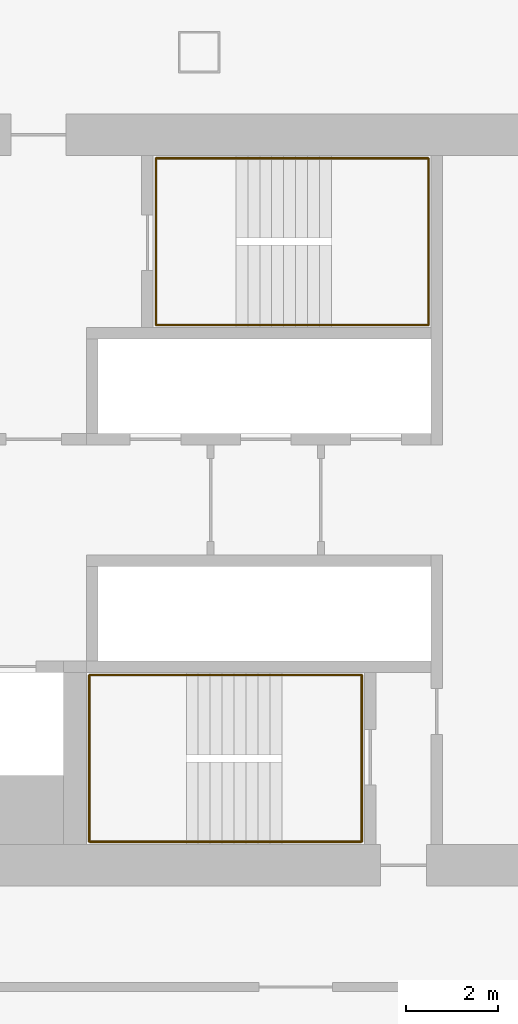
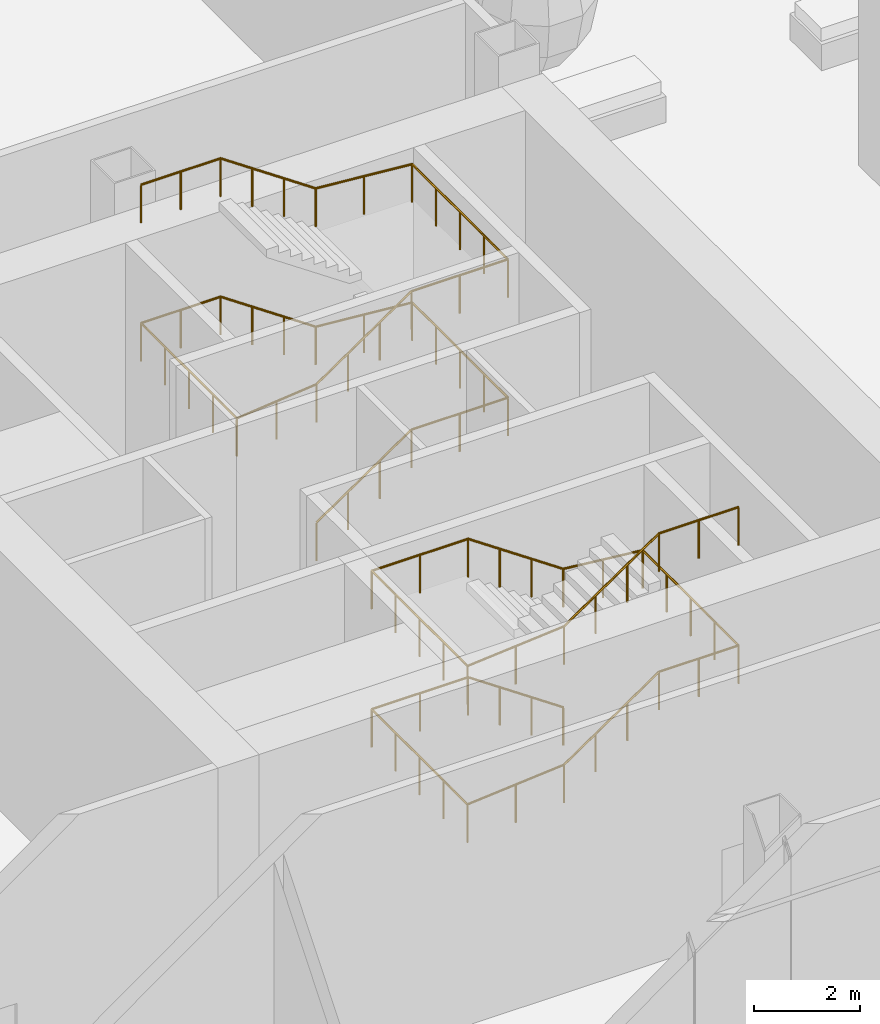
# One storey, part 33 of 44: 2 railings.
"""IFC4 building model written with IfcOpenShell, lengths in metres."""

from ifc_helpers import new_model, si_unit, direction, frame, origin, origin_2d, place, context, subcontext, project, spatial, circle, extrude, material, type_object, element, save


model = new_model("IFC4")

# Units and contexts
model_context = context("Model", 3, precision=1e-05, world=origin(), true_north=direction((0.0, 1.0)))
body_context = subcontext(model_context, "Body", "Model", "MODEL_VIEW")
ifc_project = project(units=[si_unit("LENGTHUNIT", "METRE"), si_unit("AREAUNIT", "SQUARE_METRE"), si_unit("VOLUMEUNIT", "CUBIC_METRE"), si_unit("PLANEANGLEUNIT", "RADIAN"), si_unit("MASSUNIT", "GRAM", prefix="KILO")], contexts=[model_context])

# Site, building, storey
site_placement = place(None, origin())
site = spatial("IfcSite", under=ifc_project, at=site_placement, CompositionType="ELEMENT")
building_placement = place(site_placement, origin())
building = spatial("IfcBuilding", under=site, at=building_placement, Name="Hakoniwa Tower and Hamabe Station Hall", CompositionType="ELEMENT")
storey_placement = place(building_placement, frame((0.0, 0.0, 69.0)))
storey = spatial("IfcBuildingStorey", under=building, at=storey_placement, Name="L19", CompositionType="ELEMENT", Elevation=69.0)

# Railings
ifc_material = material(Name="Stainless steel SUS304", Category="steel")
railing_type = type_object("IfcRailingType", Name="STAIR HANDRAIL 900", PredefinedType="HANDRAIL", material=ifc_material)
railing_1_placement = place(storey_placement, frame((-24.39990234375, 3.81005859375, 0.177734375)))
element("IfcRailing", 1, at=railing_1_placement, inside=storey, type_object=railing_type, Name="Handrail ST-1 L19 1", PredefinedType="HANDRAIL", context=body_context, shape_type="SweptSolid", body=[
    extrude(circle(Radius=0.02392578125, at=origin_2d()), frame((0.0, 0.0, 0.8759765625), z_axis=(0.825433201882, 0.0, 0.564499804456), x_axis=(0.0, 1.0, 0.0)), (0.0, 0.0, 1.0), 2.519775390625),
    extrude(circle(Radius=0.02392578125, at=origin_2d()), frame((2.079833984375, 0.0, 2.29833984375), z_axis=(1.0, 0.0, 0.0), x_axis=(0.0, 1.0, 0.0)), (0.0, 0.0, 1.0), 2.110107421875),
    extrude(circle(Radius=0.02392578125, at=origin_2d()), frame((4.18994140625, 0.0, 2.29833984375), z_axis=(0.0, 1.0, 0.0), x_axis=(-1.0, 0.0, 0.0)), (0.0, 0.0, 1.0), 3.6298828125),
    extrude(circle(Radius=0.02392578125, at=origin_2d()), frame((4.18994140625, 3.6298828125, 2.29833984375), z_axis=(-0.996471417081, 0.0, 0.083932800143), x_axis=(0.0, -1.0, 0.0)), (0.0, 0.0, 1.0), 2.11767578125),
    extrude(circle(Radius=0.02392578125, at=origin_2d()), frame((2.079833984375, 3.6298828125, 2.47607421875), z_axis=(-0.825478349766, 0.0, 0.564433781827), x_axis=(0.0, -1.0, 0.0)), (0.0, 0.0, 1.0), 2.51953125),
    extrude(circle(Radius=0.02392578125, at=origin_2d()), frame((0.0, 3.6298828125, 3.89794921875), z_axis=(-1.0, 0.0, 0.0), x_axis=(0.0, -1.0, 0.0)), (0.0, 0.0, 1.0), 1.739990234375),
    extrude(circle(Radius=0.02392578125, at=origin_2d()), frame((-1.739990234375, 3.6298828125, 3.89794921875), z_axis=(0.0, -1.0, 0.0), x_axis=(1.0, 0.0, 0.0)), (0.0, 0.0, 1.0), 3.6298828125),
    extrude(circle(Radius=0.02392578125, at=origin_2d()), frame((-1.739990234375, 0.0, 3.89794921875), z_axis=(0.994823492686, 0.0, 0.10161800234), x_axis=(0.0, 1.0, 0.0)), (0.0, 0.0, 1.0), 1.7490234375),
    extrude(circle(Radius=0.02392578125, at=origin_2d()), frame((0.0, 0.0, 4.07568359375), z_axis=(0.825433201882, 0.0, 0.564499804456), x_axis=(0.0, 1.0, 0.0)), (0.0, 0.0, 1.0), 2.519775390625),
    extrude(circle(Radius=0.02392578125, at=origin_2d()), frame((2.079833984375, 0.0, 5.498046875), z_axis=(1.0, 0.0, 0.0), x_axis=(0.0, 1.0, 0.0)), (0.0, 0.0, 1.0), 2.110107421875),
    extrude(circle(Radius=0.02392578125, at=origin_2d()), frame((4.18994140625, 0.0, 5.498046875), z_axis=(0.0, 1.0, 0.0), x_axis=(-1.0, 0.0, 0.0)), (0.0, 0.0, 1.0), 3.6298828125),
    extrude(circle(Radius=0.02392578125, at=origin_2d()), frame((4.18994140625, 3.6298828125, 5.498046875), z_axis=(-0.996471417081, 0.0, 0.083932800143), x_axis=(0.0, -1.0, 0.0)), (0.0, 0.0, 1.0), 2.11767578125),
    extrude(circle(Radius=0.02392578125, at=origin_2d()), frame((2.079833984375, 3.6298828125, 5.67578125), z_axis=(-0.825478349766, 0.0, 0.564433781827), x_axis=(0.0, -1.0, 0.0)), (0.0, 0.0, 1.0), 2.51953125),
    extrude(circle(Radius=0.02392578125, at=origin_2d()), frame((0.0, 3.6298828125, 7.09814453125), z_axis=(-1.0, 0.0, 0.0), x_axis=(0.0, -1.0, 0.0)), (0.0, 0.0, 1.0), 1.739990234375),
    extrude(circle(Radius=0.02099609375, at=origin_2d()), origin(), (0.0, 0.0, 1.0), 0.851806640625),
    extrude(circle(Radius=0.02099609375, at=origin_2d()), frame((0.693359375, 0.0, 0.47412109375)), (0.0, 0.0, 1.0), 0.851806640625),
    extrude(circle(Radius=0.02099609375, at=origin_2d()), frame((1.386474609375, 0.0, 0.9482421875)), (0.0, 0.0, 1.0), 0.851806640625),
    extrude(circle(Radius=0.02099609375, at=origin_2d()), frame((2.079833984375, 0.0, 1.42236328125)), (0.0, 0.0, 1.0), 0.851806640625),
    extrude(circle(Radius=0.02099609375, at=origin_2d()), frame((3.134765625, 0.0, 1.42236328125)), (0.0, 0.0, 1.0), 0.851806640625),
    extrude(circle(Radius=0.02099609375, at=origin_2d()), frame((4.18994140625, 0.0, 1.42236328125)), (0.0, 0.0, 1.0), 0.851806640625),
    extrude(circle(Radius=0.02099609375, at=origin_2d()), frame((4.18994140625, 0.907470703125, 1.42236328125)), (0.0, 0.0, 1.0), 0.851806640625),
    extrude(circle(Radius=0.02099609375, at=origin_2d()), frame((4.18994140625, 1.81494140625, 1.42236328125)), (0.0, 0.0, 1.0), 0.851806640625),
    extrude(circle(Radius=0.02099609375, at=origin_2d()), frame((4.18994140625, 2.722412109375, 1.42236328125)), (0.0, 0.0, 1.0), 0.851806640625),
    extrude(circle(Radius=0.02099609375, at=origin_2d()), frame((4.18994140625, 3.6298828125, 1.42236328125)), (0.0, 0.0, 1.0), 0.851806640625),
    extrude(circle(Radius=0.02099609375, at=origin_2d()), frame((3.134765625, 3.6298828125, 1.51123046875)), (0.0, 0.0, 1.0), 0.851806640625),
    extrude(circle(Radius=0.02099609375, at=origin_2d()), frame((2.079833984375, 3.6298828125, 1.60009765625)), (0.0, 0.0, 1.0), 0.851806640625),
    extrude(circle(Radius=0.02099609375, at=origin_2d()), frame((1.386474609375, 3.6298828125, 2.07421875)), (0.0, 0.0, 1.0), 0.851806640625),
    extrude(circle(Radius=0.02099609375, at=origin_2d()), frame((0.693359375, 3.6298828125, 2.548095703125)), (0.0, 0.0, 1.0), 0.851806640625),
    extrude(circle(Radius=0.02099609375, at=origin_2d()), frame((0.0, 3.6298828125, 3.022216796875)), (0.0, 0.0, 1.0), 0.851806640625),
    extrude(circle(Radius=0.02099609375, at=origin_2d()), frame((-0.8701171875, 3.6298828125, 3.022216796875)), (0.0, 0.0, 1.0), 0.851806640625),
    extrude(circle(Radius=0.02099609375, at=origin_2d()), frame((-1.739990234375, 3.6298828125, 3.022216796875)), (0.0, 0.0, 1.0), 0.851806640625),
    extrude(circle(Radius=0.02099609375, at=origin_2d()), frame((-1.739990234375, 2.722412109375, 3.022216796875)), (0.0, 0.0, 1.0), 0.851806640625),
    extrude(circle(Radius=0.02099609375, at=origin_2d()), frame((-1.739990234375, 1.81494140625, 3.022216796875)), (0.0, 0.0, 1.0), 0.851806640625),
    extrude(circle(Radius=0.02099609375, at=origin_2d()), frame((-1.739990234375, 0.907470703125, 3.022216796875)), (0.0, 0.0, 1.0), 0.851806640625),
    extrude(circle(Radius=0.02099609375, at=origin_2d()), frame((-1.739990234375, 0.0, 3.022216796875)), (0.0, 0.0, 1.0), 0.851806640625),
    extrude(circle(Radius=0.02099609375, at=origin_2d()), frame((-0.8701171875, 0.0, 3.111083984375)), (0.0, 0.0, 1.0), 0.851806640625),
    extrude(circle(Radius=0.02099609375, at=origin_2d()), frame((0.0, 0.0, 3.199951171875)), (0.0, 0.0, 1.0), 0.851806640625),
    extrude(circle(Radius=0.02099609375, at=origin_2d()), frame((0.693359375, 0.0, 3.674072265625)), (0.0, 0.0, 1.0), 0.851806640625),
    extrude(circle(Radius=0.02099609375, at=origin_2d()), frame((1.386474609375, 0.0, 4.148193359375)), (0.0, 0.0, 1.0), 0.851806640625),
    extrude(circle(Radius=0.02099609375, at=origin_2d()), frame((2.079833984375, 0.0, 4.622314453125)), (0.0, 0.0, 1.0), 0.851806640625),
    extrude(circle(Radius=0.02099609375, at=origin_2d()), frame((3.134765625, 0.0, 4.622314453125)), (0.0, 0.0, 1.0), 0.851806640625),
    extrude(circle(Radius=0.02099609375, at=origin_2d()), frame((4.18994140625, 0.0, 4.622314453125)), (0.0, 0.0, 1.0), 0.851806640625),
    extrude(circle(Radius=0.02099609375, at=origin_2d()), frame((4.18994140625, 0.907470703125, 4.622314453125)), (0.0, 0.0, 1.0), 0.851806640625),
    extrude(circle(Radius=0.02099609375, at=origin_2d()), frame((4.18994140625, 1.81494140625, 4.622314453125)), (0.0, 0.0, 1.0), 0.851806640625),
    extrude(circle(Radius=0.02099609375, at=origin_2d()), frame((4.18994140625, 2.722412109375, 4.622314453125)), (0.0, 0.0, 1.0), 0.851806640625),
    extrude(circle(Radius=0.02099609375, at=origin_2d()), frame((4.18994140625, 3.6298828125, 4.622314453125)), (0.0, 0.0, 1.0), 0.851806640625),
    extrude(circle(Radius=0.02099609375, at=origin_2d()), frame((3.134765625, 3.6298828125, 4.711181640625)), (0.0, 0.0, 1.0), 0.851806640625),
    extrude(circle(Radius=0.02099609375, at=origin_2d()), frame((2.079833984375, 3.6298828125, 4.800048828125)), (0.0, 0.0, 1.0), 0.851806640625),
    extrude(circle(Radius=0.02099609375, at=origin_2d()), frame((1.386474609375, 3.6298828125, 5.274169921875)), (0.0, 0.0, 1.0), 0.851806640625),
    extrude(circle(Radius=0.02099609375, at=origin_2d()), frame((0.693359375, 3.6298828125, 5.748046875)), (0.0, 0.0, 1.0), 0.851806640625),
    extrude(circle(Radius=0.02099609375, at=origin_2d()), frame((0.0, 3.6298828125, 6.22216796875)), (0.0, 0.0, 1.0), 0.851806640625),
    extrude(circle(Radius=0.02099609375, at=origin_2d()), frame((-0.8701171875, 3.6298828125, 6.22216796875)), (0.0, 0.0, 1.0), 0.851806640625),
    extrude(circle(Radius=0.02099609375, at=origin_2d()), frame((-1.739990234375, 3.6298828125, 6.22216796875)), (0.0, 0.0, 1.0), 0.851806640625),
])
railing_2_placement = place(storey_placement, frame((-23.39990234375, -3.81005859375, 0.177734375)))
element("IfcRailing", 2, at=railing_2_placement, inside=storey, type_object=railing_type, Name="Handrail ST-2 L19 1", PredefinedType="HANDRAIL", context=body_context, shape_type="SweptSolid", body=[
    extrude(circle(Radius=0.02392578125, at=origin_2d()), frame((0.0, 0.0, 0.8759765625), z_axis=(-0.825464074169, 0.0, 0.564454659168), x_axis=(0.0, -1.0, 0.0)), (0.0, 0.0, 1.0), 2.519775390625),
    extrude(circle(Radius=0.02392578125, at=origin_2d()), frame((-2.080078125, 0.0, 2.29833984375), z_axis=(-1.0, 0.0, 0.0), x_axis=(0.0, -1.0, 0.0)), (0.0, 0.0, 1.0), 2.110107421875),
    extrude(circle(Radius=0.02392578125, at=origin_2d()), frame((-4.190185546875, 0.0, 2.29833984375), z_axis=(0.0, -1.0, 0.0), x_axis=(1.0, 0.0, 0.0)), (0.0, 0.0, 1.0), 3.6298828125),
    extrude(circle(Radius=0.02392578125, at=origin_2d()), frame((-4.190185546875, -3.6298828125, 2.29833984375), z_axis=(0.996471417081, 0.0, 0.083932800143), x_axis=(0.0, 1.0, 0.0)), (0.0, 0.0, 1.0), 2.11767578125),
    extrude(circle(Radius=0.02392578125, at=origin_2d()), frame((-2.080078125, -3.6298828125, 2.47607421875), z_axis=(0.82550921652, 0.0, 0.564388636881), x_axis=(0.0, 1.0, 0.0)), (0.0, 0.0, 1.0), 2.519775390625),
    extrude(circle(Radius=0.02392578125, at=origin_2d()), frame((0.0, -3.6298828125, 3.89794921875), z_axis=(1.0, 0.0, 0.0), x_axis=(0.0, 1.0, 0.0)), (0.0, 0.0, 1.0), 1.739990234375),
    extrude(circle(Radius=0.02392578125, at=origin_2d()), frame((1.739990234375, -3.6298828125, 3.89794921875), z_axis=(0.0, 1.0, 0.0), x_axis=(-1.0, 0.0, 0.0)), (0.0, 0.0, 1.0), 3.6298828125),
    extrude(circle(Radius=0.02392578125, at=origin_2d()), frame((1.739990234375, 0.0, 3.89794921875), z_axis=(-0.994823492686, 0.0, 0.10161800234), x_axis=(0.0, -1.0, 0.0)), (0.0, 0.0, 1.0), 1.7490234375),
    extrude(circle(Radius=0.02392578125, at=origin_2d()), frame((0.0, 0.0, 4.07568359375), z_axis=(-0.825464074169, 0.0, 0.564454659168), x_axis=(0.0, -1.0, 0.0)), (0.0, 0.0, 1.0), 2.519775390625),
    extrude(circle(Radius=0.02392578125, at=origin_2d()), frame((-2.080078125, 0.0, 5.498046875), z_axis=(-1.0, 0.0, 0.0), x_axis=(0.0, -1.0, 0.0)), (0.0, 0.0, 1.0), 2.110107421875),
    extrude(circle(Radius=0.02392578125, at=origin_2d()), frame((-4.190185546875, 0.0, 5.498046875), z_axis=(0.0, -1.0, 0.0), x_axis=(1.0, 0.0, 0.0)), (0.0, 0.0, 1.0), 3.6298828125),
    extrude(circle(Radius=0.02392578125, at=origin_2d()), frame((-4.190185546875, -3.6298828125, 5.498046875), z_axis=(0.996471417081, 0.0, 0.083932800143), x_axis=(0.0, 1.0, 0.0)), (0.0, 0.0, 1.0), 2.11767578125),
    extrude(circle(Radius=0.02392578125, at=origin_2d()), frame((-2.080078125, -3.6298828125, 5.67578125), z_axis=(0.82550921652, 0.0, 0.564388636881), x_axis=(0.0, 1.0, 0.0)), (0.0, 0.0, 1.0), 2.519775390625),
    extrude(circle(Radius=0.02392578125, at=origin_2d()), frame((0.0, -3.6298828125, 7.09814453125), z_axis=(1.0, 0.0, 0.0), x_axis=(0.0, 1.0, 0.0)), (0.0, 0.0, 1.0), 1.739990234375),
    extrude(circle(Radius=0.02099609375, at=origin_2d()), origin(), (0.0, 0.0, 1.0), 0.851806640625),
    extrude(circle(Radius=0.02099609375, at=origin_2d()), frame((-0.693359375, 0.0, 0.47412109375)), (0.0, 0.0, 1.0), 0.851806640625),
    extrude(circle(Radius=0.02099609375, at=origin_2d()), frame((-1.38671875, 0.0, 0.9482421875)), (0.0, 0.0, 1.0), 0.851806640625),
    extrude(circle(Radius=0.02099609375, at=origin_2d()), frame((-2.080078125, 0.0, 1.42236328125)), (0.0, 0.0, 1.0), 0.851806640625),
    extrude(circle(Radius=0.02099609375, at=origin_2d()), frame((-3.13525390625, 0.0, 1.42236328125)), (0.0, 0.0, 1.0), 0.851806640625),
    extrude(circle(Radius=0.02099609375, at=origin_2d()), frame((-4.190185546875, 0.0, 1.42236328125)), (0.0, 0.0, 1.0), 0.851806640625),
    extrude(circle(Radius=0.02099609375, at=origin_2d()), frame((-4.190185546875, -0.907470703125, 1.42236328125)), (0.0, 0.0, 1.0), 0.851806640625),
    extrude(circle(Radius=0.02099609375, at=origin_2d()), frame((-4.190185546875, -1.81494140625, 1.42236328125)), (0.0, 0.0, 1.0), 0.851806640625),
    extrude(circle(Radius=0.02099609375, at=origin_2d()), frame((-4.190185546875, -2.722412109375, 1.42236328125)), (0.0, 0.0, 1.0), 0.851806640625),
    extrude(circle(Radius=0.02099609375, at=origin_2d()), frame((-4.190185546875, -3.6298828125, 1.42236328125)), (0.0, 0.0, 1.0), 0.851806640625),
    extrude(circle(Radius=0.02099609375, at=origin_2d()), frame((-3.13525390625, -3.6298828125, 1.51123046875)), (0.0, 0.0, 1.0), 0.851806640625),
    extrude(circle(Radius=0.02099609375, at=origin_2d()), frame((-2.080078125, -3.6298828125, 1.60009765625)), (0.0, 0.0, 1.0), 0.851806640625),
    extrude(circle(Radius=0.02099609375, at=origin_2d()), frame((-1.38671875, -3.6298828125, 2.07421875)), (0.0, 0.0, 1.0), 0.851806640625),
    extrude(circle(Radius=0.02099609375, at=origin_2d()), frame((-0.693359375, -3.6298828125, 2.548095703125)), (0.0, 0.0, 1.0), 0.851806640625),
    extrude(circle(Radius=0.02099609375, at=origin_2d()), frame((0.0, -3.6298828125, 3.022216796875)), (0.0, 0.0, 1.0), 0.851806640625),
    extrude(circle(Radius=0.02099609375, at=origin_2d()), frame((0.8701171875, -3.6298828125, 3.022216796875)), (0.0, 0.0, 1.0), 0.851806640625),
    extrude(circle(Radius=0.02099609375, at=origin_2d()), frame((1.739990234375, -3.6298828125, 3.022216796875)), (0.0, 0.0, 1.0), 0.851806640625),
    extrude(circle(Radius=0.02099609375, at=origin_2d()), frame((1.739990234375, -2.722412109375, 3.022216796875)), (0.0, 0.0, 1.0), 0.851806640625),
    extrude(circle(Radius=0.02099609375, at=origin_2d()), frame((1.739990234375, -1.81494140625, 3.022216796875)), (0.0, 0.0, 1.0), 0.851806640625),
    extrude(circle(Radius=0.02099609375, at=origin_2d()), frame((1.739990234375, -0.907470703125, 3.022216796875)), (0.0, 0.0, 1.0), 0.851806640625),
    extrude(circle(Radius=0.02099609375, at=origin_2d()), frame((1.739990234375, 0.0, 3.022216796875)), (0.0, 0.0, 1.0), 0.851806640625),
    extrude(circle(Radius=0.02099609375, at=origin_2d()), frame((0.8701171875, 0.0, 3.111083984375)), (0.0, 0.0, 1.0), 0.851806640625),
    extrude(circle(Radius=0.02099609375, at=origin_2d()), frame((0.0, 0.0, 3.199951171875)), (0.0, 0.0, 1.0), 0.851806640625),
    extrude(circle(Radius=0.02099609375, at=origin_2d()), frame((-0.693359375, 0.0, 3.674072265625)), (0.0, 0.0, 1.0), 0.851806640625),
    extrude(circle(Radius=0.02099609375, at=origin_2d()), frame((-1.38671875, 0.0, 4.148193359375)), (0.0, 0.0, 1.0), 0.851806640625),
    extrude(circle(Radius=0.02099609375, at=origin_2d()), frame((-2.080078125, 0.0, 4.622314453125)), (0.0, 0.0, 1.0), 0.851806640625),
    extrude(circle(Radius=0.02099609375, at=origin_2d()), frame((-3.13525390625, 0.0, 4.622314453125)), (0.0, 0.0, 1.0), 0.851806640625),
    extrude(circle(Radius=0.02099609375, at=origin_2d()), frame((-4.190185546875, 0.0, 4.622314453125)), (0.0, 0.0, 1.0), 0.851806640625),
    extrude(circle(Radius=0.02099609375, at=origin_2d()), frame((-4.190185546875, -0.907470703125, 4.622314453125)), (0.0, 0.0, 1.0), 0.851806640625),
    extrude(circle(Radius=0.02099609375, at=origin_2d()), frame((-4.190185546875, -1.81494140625, 4.622314453125)), (0.0, 0.0, 1.0), 0.851806640625),
    extrude(circle(Radius=0.02099609375, at=origin_2d()), frame((-4.190185546875, -2.722412109375, 4.622314453125)), (0.0, 0.0, 1.0), 0.851806640625),
    extrude(circle(Radius=0.02099609375, at=origin_2d()), frame((-4.190185546875, -3.6298828125, 4.622314453125)), (0.0, 0.0, 1.0), 0.851806640625),
    extrude(circle(Radius=0.02099609375, at=origin_2d()), frame((-3.13525390625, -3.6298828125, 4.711181640625)), (0.0, 0.0, 1.0), 0.851806640625),
    extrude(circle(Radius=0.02099609375, at=origin_2d()), frame((-2.080078125, -3.6298828125, 4.800048828125)), (0.0, 0.0, 1.0), 0.851806640625),
    extrude(circle(Radius=0.02099609375, at=origin_2d()), frame((-1.38671875, -3.6298828125, 5.274169921875)), (0.0, 0.0, 1.0), 0.851806640625),
    extrude(circle(Radius=0.02099609375, at=origin_2d()), frame((-0.693359375, -3.6298828125, 5.748046875)), (0.0, 0.0, 1.0), 0.851806640625),
    extrude(circle(Radius=0.02099609375, at=origin_2d()), frame((0.0, -3.6298828125, 6.22216796875)), (0.0, 0.0, 1.0), 0.851806640625),
    extrude(circle(Radius=0.02099609375, at=origin_2d()), frame((0.8701171875, -3.6298828125, 6.22216796875)), (0.0, 0.0, 1.0), 0.851806640625),
    extrude(circle(Radius=0.02099609375, at=origin_2d()), frame((1.739990234375, -3.6298828125, 6.22216796875)), (0.0, 0.0, 1.0), 0.851806640625),
])

save(model, "model.ifc")
